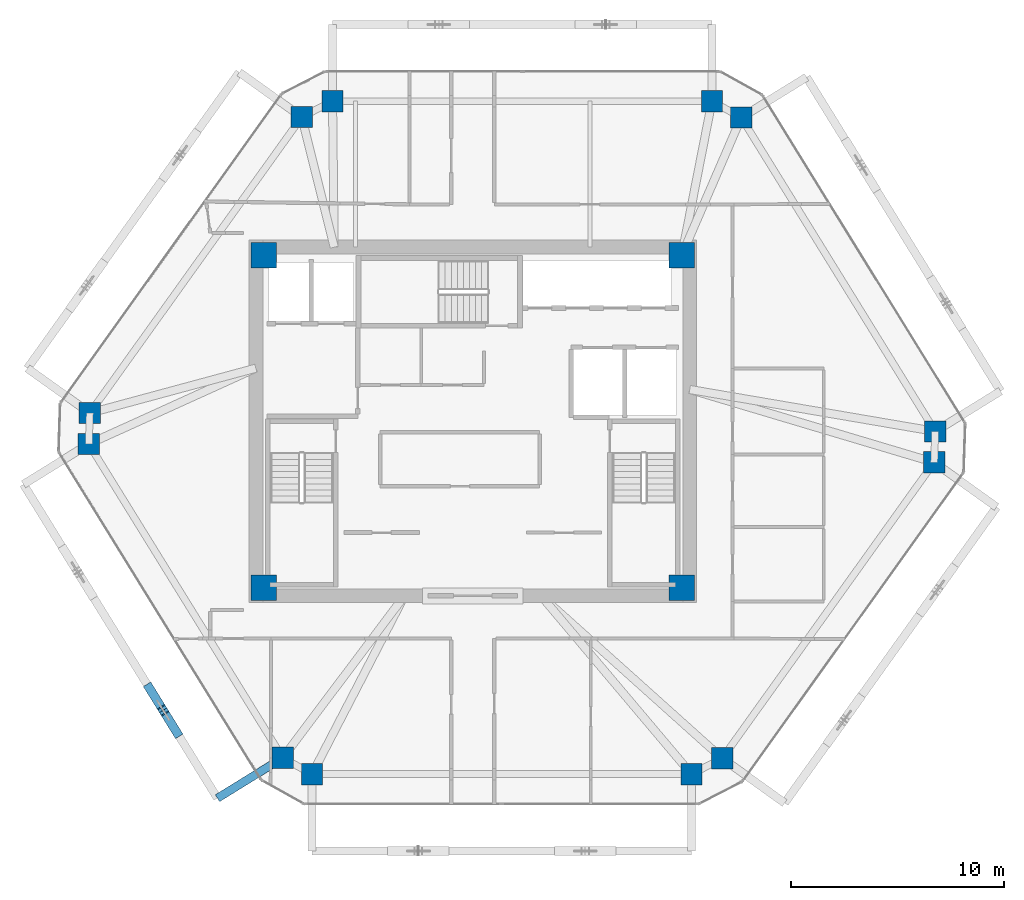
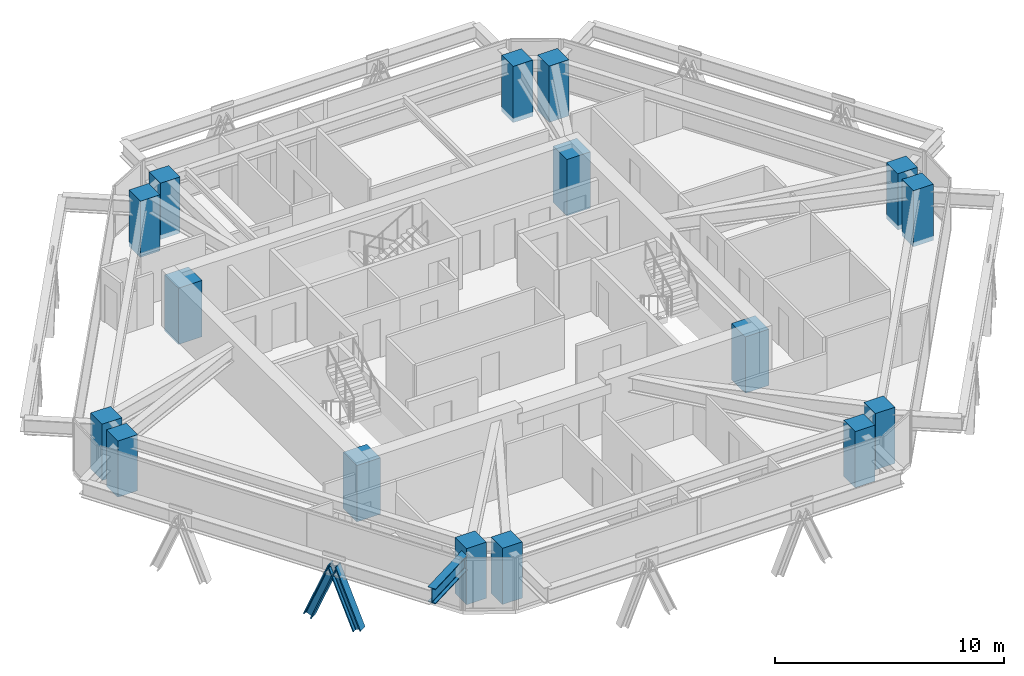
# One storey, part 1 of 14: 16 columns, 2 members, 1 beam.
"""IFC4 building model written with IfcOpenShell, lengths in metres."""

from ifc_helpers import new_model, si_unit, direction, frame, origin, origin_2d, place, context, subcontext, project, spatial, rectangle, i_section, extrude, source, transform, mapped, material, material_profile, profile_set, type_object, type_shapes, element, save


model = new_model("IFC4")

# Units and contexts
model_context = context("Model", 3, precision=1e-05, world=origin(), true_north=direction((0.0, 1.0)))
body_context = subcontext(model_context, "Body", "Model", "MODEL_VIEW")
ifc_project = project(units=[si_unit("LENGTHUNIT", "METRE"), si_unit("AREAUNIT", "SQUARE_METRE"), si_unit("VOLUMEUNIT", "CUBIC_METRE"), si_unit("PLANEANGLEUNIT", "RADIAN"), si_unit("MASSUNIT", "GRAM", prefix="KILO")], contexts=[model_context])

# Site, building, storey
site_placement = place(None, origin())
site = spatial("IfcSite", under=ifc_project, at=site_placement, CompositionType="ELEMENT")
building_placement = place(site_placement, origin())
building = spatial("IfcBuilding", under=site, at=building_placement, Name="Durnholm Broadcast Tower", CompositionType="ELEMENT")
storey_placement = place(building_placement, frame((0.0, 0.0, 200.199951171875)))
storey = spatial("IfcBuildingStorey", under=building, at=storey_placement, Name="L55", CompositionType="ELEMENT", Elevation=200.199951171875)

# Columns
ifc_material_1 = material(Name="Concrete C70/85", Category="concrete")
ifc_material_profile_1 = material_profile(ifc_material_1, rectangle(XDim=1.199951171875, YDim=1.199951171875, at=origin_2d()), Name="RC1200X1200")
ifc_profile_set_1 = profile_set([ifc_material_profile_1], Name="Concrete C70/85")
column_type_1 = type_object("IfcColumnType", Name="COL-CC-1200", PredefinedType="COLUMN", material=ifc_profile_set_1)
shared_shape_1 = source(origin(), body_context, "Body", "SweptSolid", [
    extrude(rectangle(XDim=1.199951171875, YDim=1.199951171875, at=origin_2d()), origin(), (0.0, 0.0, 1.0), 3.0),
])
type_shapes(column_type_1, [shared_shape_1])
for number, where, z_axis, x_axis, name in (
    (1, (-9.800048828125, -7.800048828125, -0.239990234375), (0.0, 0.0, 1.0), (1.0, 0.0, 0.0), "L55 core corner column 1"),
    (2, (9.800048828125, -7.800048828125, -0.239990234375), (0.0, 0.0, 1.0), (1.0, 0.0, 0.0), "L55 core corner column 2"),
    (3, (9.800048828125, 7.800048828125, -0.239990234375), (0.0, 0.0, 1.0), (1.0, 0.0, 0.0), "L55 core corner column 3"),
    (4, (-9.800048828125, 7.800048828125, -0.239990234375), (0.0, 0.0, 1.0), (1.0, 0.0, 0.0), "L55 core corner column 4"),
):
    element("IfcColumn", number, at=place(storey_placement, frame(where, z_axis=z_axis, x_axis=x_axis)), inside=storey, type_object=column_type_1, Name=name, PredefinedType="COLUMN", context=body_context, shape_type="MappedRepresentation", body=[
        mapped(shared_shape_1, transform((0.0, 0.0, 0.0), x_axis=(1.0, 0.0, 0.0), y_axis=(0.0, 1.0, 0.0), z_axis=(0.0, 0.0, 1.0), scale=1.0)),
    ])
ifc_material_profile_2 = material_profile(ifc_material_1, rectangle(XDim=1.0, YDim=1.0, at=origin_2d()), Name="RC1000X1000")
ifc_profile_set_2 = profile_set([ifc_material_profile_2], Name="Concrete C70/85")
column_type_2 = type_object("IfcColumnType", Name="COL-CC-1000", PredefinedType="COLUMN", material=ifc_profile_set_2)
shared_shape_2 = source(origin(), body_context, "Body", "SweptSolid", [
    extrude(rectangle(XDim=1.0, YDim=1.0, at=origin_2d()), origin(), (0.0, 0.0, 1.0), 3.0),
])
type_shapes(column_type_2, [shared_shape_2])
for number, where, z_axis, x_axis, name in (
    (5, (-8.91259765625, -15.7763671875, -0.239990234375), (0.0, 0.0, 1.0), (1.0, 0.0, 0.0), "L55 perimeter hexagonal tube column 01"),
    (6, (-18.009033203125, -1.056640625, -0.239990234375), (0.0, 0.0, 1.0), (1.0, 0.0, 0.0), "L55 perimeter hexagonal tube column 02"),
    (7, (-17.9599609375, 0.3955078125, -0.239990234375), (0.0, 0.0, 1.0), (1.0, 0.0, 0.0), "L55 perimeter hexagonal tube column 03"),
    (8, (-8.021728515625, 14.2763671875, -0.239990234375), (0.0, 0.0, 1.0), (1.0, 0.0, 0.0), "L55 perimeter hexagonal tube column 04"),
    (9, (-6.57861328125, 15.01806640625, -0.239990234375), (0.0, 0.0, 1.0), (1.0, 0.0, 0.0), "L55 perimeter hexagonal tube column 05"),
    (10, (11.217529296875, 15.01806640625, -0.239990234375), (0.0, 0.0, 1.0), (1.0, 0.0, 0.0), "L55 perimeter hexagonal tube column 06"),
    (11, (12.5908203125, 14.252197265625, -0.239990234375), (0.0, 0.0, 1.0), (1.0, 0.0, 0.0), "L55 perimeter hexagonal tube column 07"),
    (12, (21.68701171875, -0.46728515625, -0.239990234375), (0.0, 0.0, 1.0), (1.0, 0.0, 0.0), "L55 perimeter hexagonal tube column 08"),
    (13, (21.637939453125, -1.919677734375, -0.239990234375), (0.0, 0.0, 1.0), (1.0, 0.0, 0.0), "L55 perimeter hexagonal tube column 09"),
    (14, (11.69970703125, -15.80029296875, -0.239990234375), (0.0, 0.0, 1.0), (1.0, 0.0, 0.0), "L55 perimeter hexagonal tube column 10"),
    (15, (10.256591796875, -16.5419921875, -0.239990234375), (0.0, 0.0, 1.0), (1.0, 0.0, 0.0), "L55 perimeter hexagonal tube column 11"),
    (16, (-7.53955078125, -16.5419921875, -0.239990234375), (0.0, 0.0, 1.0), (1.0, 0.0, 0.0), "L55 perimeter hexagonal tube column 12"),
):
    element("IfcColumn", number, at=place(storey_placement, frame(where, z_axis=z_axis, x_axis=x_axis)), inside=storey, type_object=column_type_2, Name=name, PredefinedType="COLUMN", context=body_context, shape_type="MappedRepresentation", body=[
        mapped(shared_shape_2, transform((0.0, 0.0, 0.0), x_axis=(1.0, 0.0, 0.0), y_axis=(0.0, 1.0, 0.0), z_axis=(0.0, 0.0, 1.0), scale=1.0)),
    ])

# Beam
ifc_material_2 = material(Name="Steel ASTM A992 Grade 50", Category="steel")
ifc_material_profile_3 = material_profile(ifc_material_2, i_section(OverallWidth=0.385009765625, OverallDepth=0.802978515625, WebThickness=0.023681640625, FlangeThickness=0.0419921875, FilletRadius=0.032958984375, at=origin_2d()), Name="W30X261")
ifc_profile_set_3 = profile_set([ifc_material_profile_3], Name="Steel ASTM A992 Grade 50")
beam_type = type_object("IfcBeamType", Name="BM-EXO-TIE", PredefinedType="USERDEFINED", material=ifc_profile_set_3)
shared_shape_3 = source(origin(), body_context, "Body", "SweptSolid", [
    extrude(i_section(OverallWidth=0.385009765625, OverallDepth=0.802978515625, WebThickness=0.023681640625, FlangeThickness=0.0419921875, FilletRadius=0.032958984375, at=origin_2d()), origin(), (0.0, 0.0, 1.0), 3.4560546875),
])
type_shapes(beam_type, [shared_shape_3])
beam_placement = place(storey_placement, frame((-9.03515625, -15.85205078125, 2.008544921875), z_axis=(-0.850693939061, -0.525661318764, 0.0), x_axis=(0.525661318764, -0.850693939061, 0.0)))
element("IfcBeam", 17, at=beam_placement, inside=storey, type_object=beam_type, Name="L55 exoskeleton stand-off tie bracket F6.2", ObjectType="GIRDER", PredefinedType="USERDEFINED", context=body_context, shape_type="MappedRepresentation", body=[
    mapped(shared_shape_3, transform((0.0, 0.0, 0.0), x_axis=(1.0, 0.0, 0.0), y_axis=(0.0, 1.0, 0.0), z_axis=(0.0, 0.0, 1.0), scale=1.0)),
])

# Members
ifc_material_3 = material(Name="Steel ASTM A913 Grade 65", Category="steel")
ifc_material_profile_4 = material_profile(ifc_material_3, i_section(OverallWidth=0.412109375, OverallDepth=0.434814453125, WebThickness=0.035888671875, FlangeThickness=0.057373046875, FilletRadius=0.030517578125, at=origin_2d()), Name="W14X311")
ifc_profile_set_4 = profile_set([ifc_material_profile_4], Name="Steel ASTM A913 Grade 65")
member_type = type_object("IfcMemberType", Name="STL-DG-W14X311", PredefinedType="BRACE", material=ifc_profile_set_4)
shared_shape_4 = source(origin(), body_context, "Body", "SweptSolid", [
    extrude(i_section(OverallWidth=0.412109375, OverallDepth=0.434814453125, WebThickness=0.035888671875, FlangeThickness=0.057373046875, FilletRadius=0.030517578125, at=origin_2d()), origin(), (0.0, 0.0, 1.0), 3.24365234375),
])
member_1_placement = place(storey_placement, frame((-15.170654296875, -12.497802734375, -0.991455078125), z_axis=(0.19990238351, -0.323561877527, 0.924849581542), x_axis=(0.850732935913, 0.525598203719, 0.0)))
element("IfcMember", 18, at=member_1_placement, inside=storey, type_object=member_type, Name="L55 stand-off diagrid brace F6.D2.1", PredefinedType="BRACE", context=body_context, shape_type="MappedRepresentation", body=[
    mapped(shared_shape_4, transform((0.0, 0.0, 0.0), x_axis=(1.0, 0.0, 0.0), y_axis=(0.0, 1.0, 0.0), z_axis=(0.0, 0.0, 1.0), scale=1.0)),
])
shared_shape_5 = source(origin(), body_context, "Body", "SweptSolid", [
    extrude(i_section(OverallWidth=0.412109375, OverallDepth=0.434814453125, WebThickness=0.035888671875, FlangeThickness=0.057373046875, FilletRadius=0.030517578125, at=origin_2d()), origin(), (0.0, 0.0, 1.0), 3.243896484375),
])
type_shapes(member_type, [shared_shape_4, shared_shape_5])
member_2_placement = place(storey_placement, frame((-13.87353515625, -14.596923828125, -0.991455078125), z_axis=(-0.199974638691, 0.323557008556, 0.924835664372), x_axis=(-0.850644447398, -0.525741404219, 0.0)))
element("IfcMember", 19, at=member_2_placement, inside=storey, type_object=member_type, Name="L55 stand-off diagrid brace F6.D2.2", PredefinedType="BRACE", context=body_context, shape_type="MappedRepresentation", body=[
    mapped(shared_shape_5, transform((0.0, 0.0, 0.0), x_axis=(1.0, 0.0, 0.0), y_axis=(0.0, 1.0, 0.0), z_axis=(0.0, 0.0, 1.0), scale=1.0)),
])

save(model, "model.ifc")
